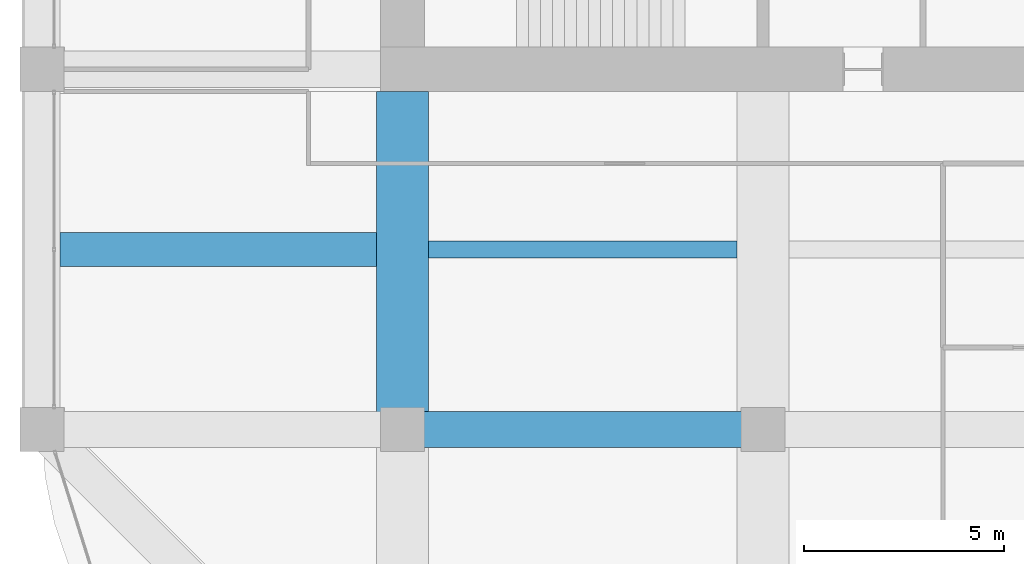
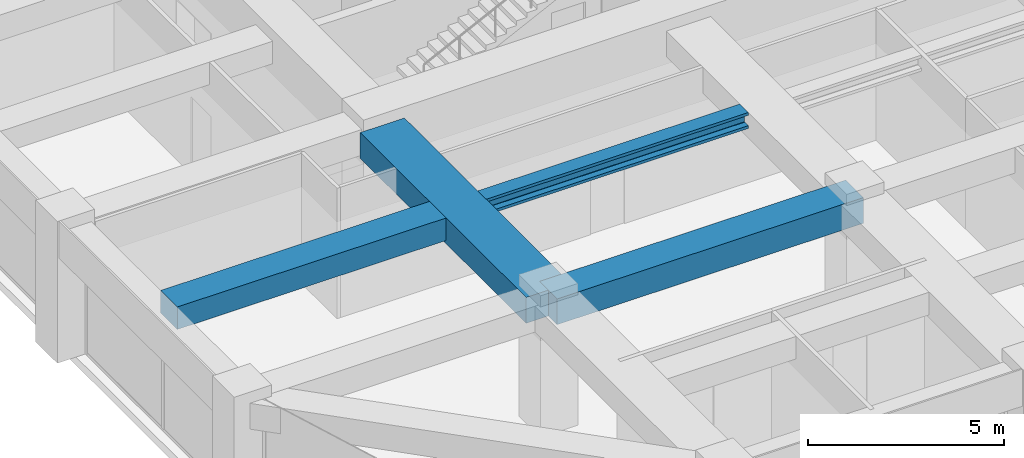
# One storey, part 8 of 44: 4 beams.
"""IFC4 building model written with IfcOpenShell, lengths in metres."""

from ifc_helpers import new_model, si_unit, direction, frame, origin, origin_2d, place, context, subcontext, project, spatial, rectangle, i_section, extrude, material, material_profile, profile_set, type_object, element, save


model = new_model("IFC4")

# Units and contexts
model_context = context("Model", 3, precision=1e-05, world=origin(), true_north=direction((0.0, 1.0)))
body_context = subcontext(model_context, "Body", "Model", "MODEL_VIEW")
ifc_project = project(units=[si_unit("LENGTHUNIT", "METRE"), si_unit("AREAUNIT", "SQUARE_METRE"), si_unit("VOLUMEUNIT", "CUBIC_METRE"), si_unit("PLANEANGLEUNIT", "RADIAN"), si_unit("MASSUNIT", "GRAM", prefix="KILO")], contexts=[model_context])

# Site, building, storey
site_placement = place(None, origin())
site = spatial("IfcSite", under=ifc_project, at=site_placement, CompositionType="ELEMENT")
building_placement = place(site_placement, origin())
building = spatial("IfcBuilding", under=site, at=building_placement, Name="Zorevar Civic Tower", CompositionType="ELEMENT")
storey_placement = place(building_placement, frame((0.0, 0.0, 307.39990234375)))
storey = spatial("IfcBuildingStorey", under=building, at=storey_placement, Name="L75", CompositionType="ELEMENT", Elevation=307.39990234375)

# Beams
ifc_material_1 = material(Name="Concrete C50/60", Category="concrete")
ifc_material_profile_1 = material_profile(ifc_material_1, rectangle(XDim=1.300048828125, YDim=0.800048828125, at=origin_2d()), Name="RC 1300x800")
ifc_profile_set_1 = profile_set([ifc_material_profile_1], Name="Concrete C50/60")
beam_type_1 = type_object("IfcBeamType", Name="Beam RC 1300x800", PredefinedType="BEAM", material=ifc_profile_set_1)
beam_1_placement = place(storey_placement, frame((18.0, 9.0, 3.650146484375), z_axis=(0.0, 1.0, 0.0), x_axis=(-1.0, 0.0, 0.0)))
element("IfcBeam", 1, at=beam_1_placement, inside=storey, type_object=beam_type_1, Name="Girder RF", PredefinedType="BEAM", context=body_context, shape_type="SweptSolid", body=[
    extrude(rectangle(XDim=1.300048828125, YDim=0.800048828125, at=origin_2d()), origin(), (0.0, 0.0, 1.0), 8.449951171875),
])
ifc_material_2 = material(Name="Concrete C50/60", Category="concrete")
ifc_material_profile_2 = material_profile(ifc_material_2, rectangle(XDim=0.85009765625, YDim=0.699951171875, at=origin_2d()), Name="RC 850x700")
ifc_profile_set_2 = profile_set([ifc_material_profile_2], Name="Concrete C50/60")
beam_type_2 = type_object("IfcBeamType", Name="Beam RC 850x700", PredefinedType="BEAM", material=ifc_profile_set_2)
beam_2_placement = place(storey_placement, frame((9.449951171875, 13.5, 3.7001953125), z_axis=(1.0, 0.0, 0.0), x_axis=(0.0, 1.0, 0.0)))
element("IfcBeam", 2, at=beam_2_placement, inside=storey, type_object=beam_type_2, Name="Secondary beam RF", PredefinedType="BEAM", context=body_context, shape_type="SweptSolid", body=[
    extrude(rectangle(XDim=0.85009765625, YDim=0.699951171875, at=origin_2d()), origin(), (0.0, 0.0, 1.0), 7.900146484375),
])
ifc_material_3 = material(Name="Concrete C50/60", Category="concrete")
ifc_material_profile_3 = material_profile(ifc_material_3, rectangle(XDim=0.89990234375, YDim=0.800048828125, at=origin_2d()), Name="RC 900x800")
ifc_profile_set_3 = profile_set([ifc_material_profile_3], Name="Concrete C50/60")
beam_type_3 = type_object("IfcBeamType", Name="Beam RC 900x800", PredefinedType="BEAM", material=ifc_profile_set_3)
beam_3_placement = place(storey_placement, frame((18.0, 9.0, 3.650146484375), z_axis=(1.0, 0.0, 0.0), x_axis=(0.0, 1.0, 0.0)))
element("IfcBeam", 3, at=beam_3_placement, inside=storey, type_object=beam_type_3, Name="Girder RF", PredefinedType="BEAM", context=body_context, shape_type="SweptSolid", body=[
    extrude(rectangle(XDim=0.89990234375, YDim=0.800048828125, at=origin_2d()), origin(), (0.0, 0.0, 1.0), 9.0),
])
ifc_material_4 = material(Name="Steel S460M (HISTAR 460)", Category="steel")
ifc_material_profile_4 = material_profile(ifc_material_4, i_section(OverallWidth=0.431884765625, OverallDepth=0.498046875, WebThickness=0.0556640625, FlangeThickness=0.0888671875, FilletRadius=0.014892578125, at=origin_2d()), Name="HD 400x744")
ifc_profile_set_4 = profile_set([ifc_material_profile_4], Name="Steel S460M (HISTAR 460)")
beam_type_4 = type_object("IfcBeamType", Name="Core bay beam HD 400x744", PredefinedType="BEAM", material=ifc_profile_set_4)
beam_4_placement = place(storey_placement, frame((18.64990234375, 13.5, 3.801025390625), z_axis=(1.0, 0.0, 0.0), x_axis=(0.0, 1.0, 0.0)))
element("IfcBeam", 4, at=beam_4_placement, inside=storey, type_object=beam_type_4, Name="Secondary beam RF", PredefinedType="BEAM", context=body_context, shape_type="SweptSolid", body=[
    extrude(i_section(OverallWidth=0.431884765625, OverallDepth=0.498046875, WebThickness=0.0556640625, FlangeThickness=0.0888671875, FilletRadius=0.014892578125, at=origin_2d()), origin(), (0.0, 0.0, 1.0), 7.7001953125),
])

save(model, "model.ifc")
